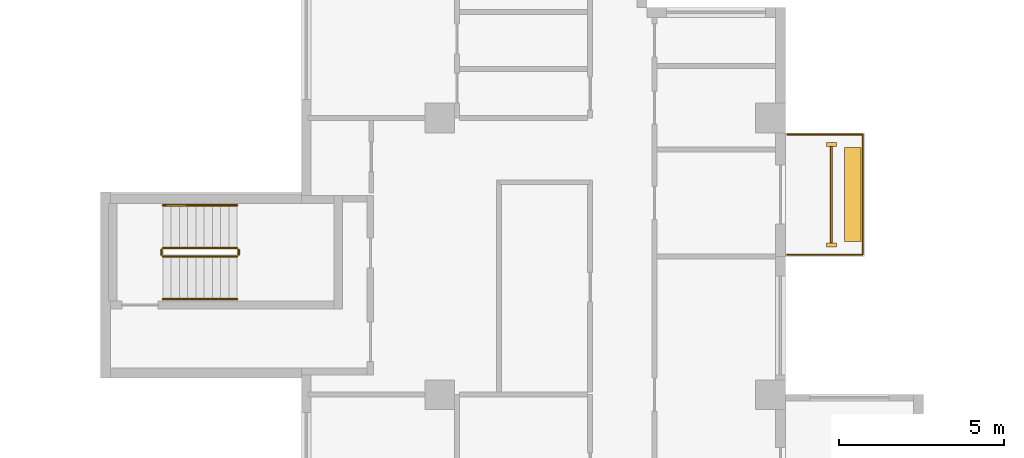
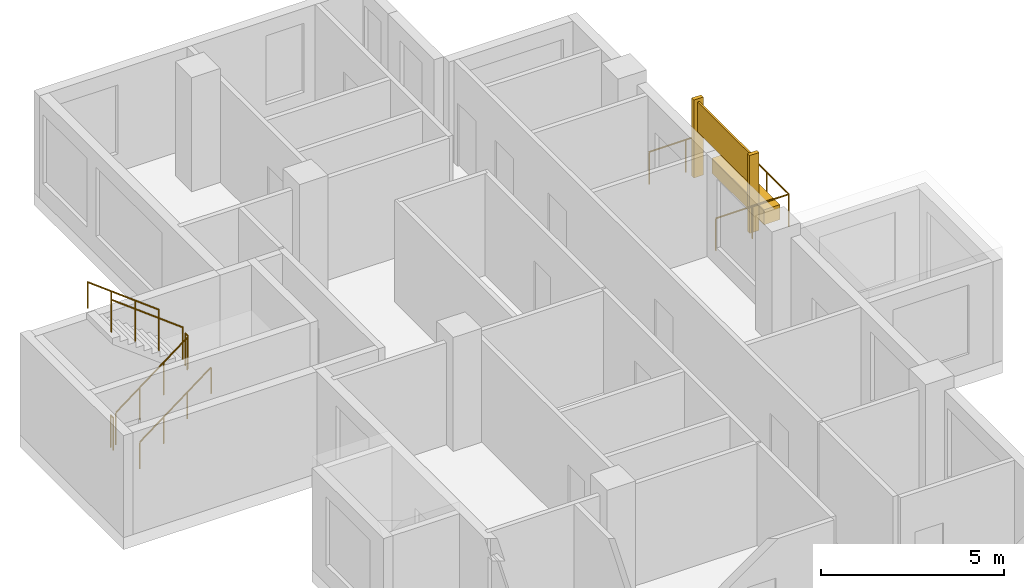
# One storey, part 12 of 12: 7 railings, 4 coverings.
"""IFC4 building model written with IfcOpenShell, lengths in metres."""

from ifc_helpers import new_model, si_unit, direction, frame, origin, origin_2d, place, context, subcontext, project, spatial, rectangle, circle, extrude, source, transform, mapped, material, type_object, element, save


model = new_model("IFC4")

# Units and contexts
model_context = context("Model", 3, precision=1e-05, world=origin(), true_north=direction((0.0, 1.0)))
body_context = subcontext(model_context, "Body", "Model", "MODEL_VIEW")
ifc_project = project(units=[si_unit("LENGTHUNIT", "METRE"), si_unit("AREAUNIT", "SQUARE_METRE"), si_unit("VOLUMEUNIT", "CUBIC_METRE"), si_unit("PLANEANGLEUNIT", "RADIAN"), si_unit("MASSUNIT", "GRAM", prefix="KILO")], contexts=[model_context])

# Site, building, storey
site_placement = place(None, origin())
site = spatial("IfcSite", under=ifc_project, at=site_placement, CompositionType="ELEMENT")
building_placement = place(site_placement, origin())
building = spatial("IfcBuilding", under=site, at=building_placement, Name="Aurelian Terraces", CompositionType="ELEMENT")
storey_placement = place(building_placement, frame((0.0, 0.0, 223.4)))
storey = spatial("IfcBuildingStorey", under=building, at=storey_placement, Name="L50", CompositionType="ELEMENT", Elevation=223.4)

# Coverings
ifc_material_1 = material(Name="Terracotta rainscreen cladding relief", Category="masonry")
covering_type_1 = type_object("IfcCoveringType", Name="FIN-TC", PredefinedType="CLADDING", material=ifc_material_1)
shared_shape_1 = source(origin(), body_context, "Body", "SweptSolid", [
    extrude(rectangle(XDim=0.3, YDim=0.12, at=origin_2d()), origin(), (0.0, 0.0, 1.0), 2.6),
])
for number, where, z_axis, x_axis, name in (
    (1, (22.4, 42.35, 0.0), (0.0, 0.0, 1.0), (1.0, 0.0, 0.0), "FIN L50 L50-F08-20.1"),
    (2, (22.4, 45.4, 0.0), (0.0, 0.0, 1.0), (1.0, 0.0, 0.0), "FIN L50 L50-F08-20.2"),
):
    element("IfcCovering", number, at=place(storey_placement, frame(where, z_axis=z_axis, x_axis=x_axis)), inside=storey, type_object=covering_type_1, Name=name, PredefinedType="CLADDING", context=body_context, shape_type="MappedRepresentation", body=[
        mapped(shared_shape_1, transform((0.0, 0.0, 0.0), scale=1.0)),
    ])

# Railing
ifc_material_2 = material(Name="Anodised aluminium", Category="aluminium")
railing_type_1 = type_object("IfcRailingType", Name="GUARD-1100", PredefinedType="GUARDRAIL", material=ifc_material_2)
shared_shape_2 = source(origin(), body_context, "Body", "SweptSolid", [
    extrude(circle(Radius=0.024, at=origin_2d()), frame((0.0, 0.0, 1.076), z_axis=(1.0, 0.0, 0.0), x_axis=(0.0, 1.0, 0.0)), (0.0, 0.0, 1.0), 2.3),
    extrude(circle(Radius=0.024, at=origin_2d()), frame((2.3, 0.0, 1.076), z_axis=(0.0, 1.0, 0.0), x_axis=(-1.0, 0.0, 0.0)), (0.0, 0.0, 1.0), 3.65),
    extrude(circle(Radius=0.024, at=origin_2d()), frame((2.3, 3.65, 1.076), z_axis=(-1.0, 0.0, 0.0), x_axis=(0.0, -1.0, 0.0)), (0.0, 0.0, 1.0), 2.3),
    extrude(circle(Radius=0.021, at=origin_2d()), origin(), (0.0, 0.0, 1.0), 1.052),
    extrude(circle(Radius=0.021, at=origin_2d()), frame((1.15, 0.0, 0.0)), (0.0, 0.0, 1.0), 1.052),
    extrude(circle(Radius=0.021, at=origin_2d()), frame((2.3, 0.0, 0.0)), (0.0, 0.0, 1.0), 1.052),
    extrude(circle(Radius=0.021, at=origin_2d()), frame((2.3, 1.2167, 0.0)), (0.0, 0.0, 1.0), 1.052),
    extrude(circle(Radius=0.021, at=origin_2d()), frame((2.3, 2.4333, 0.0)), (0.0, 0.0, 1.0), 1.052),
    extrude(circle(Radius=0.021, at=origin_2d()), frame((2.3, 3.65, 0.0)), (0.0, 0.0, 1.0), 1.052),
    extrude(circle(Radius=0.021, at=origin_2d()), frame((1.15, 3.65, 0.0)), (0.0, 0.0, 1.0), 1.052),
    extrude(circle(Radius=0.021, at=origin_2d()), frame((0.0, 3.65, 0.0)), (0.0, 0.0, 1.0), 1.052),
])
railing_1_placement = place(storey_placement, frame((21.05, 42.05, 0.0)))
element("IfcRailing", 3, at=railing_1_placement, inside=storey, type_object=railing_type_1, Name="Balcony guard L50 F08.20", PredefinedType="GUARDRAIL", context=body_context, shape_type="MappedRepresentation", body=[
    mapped(shared_shape_2, transform((0.0, 0.0, 0.0), scale=1.0)),
])

# Coverings
ifc_material_3 = material(Name="Terracotta planter with planting soil", Category="masonry")
covering_type_2 = type_object("IfcCoveringType", Name="PLANTER-TROUGH", PredefinedType="USERDEFINED", material=ifc_material_3)
shared_shape_3 = source(origin(), body_context, "Body", "SweptSolid", [
    extrude(rectangle(XDim=0.5, YDim=2.85, at=origin_2d()), origin(), (0.0, 0.0, 1.0), 0.5),
])
covering_1_placement = place(storey_placement, frame((23.05, 43.875, 0.0), z_axis=(0.0, 0.0, 1.0), x_axis=(1.0, 0.0, 0.0)))
element("IfcCovering", 4, at=covering_1_placement, inside=storey, type_object=covering_type_2, Name="PLANTER L50 L50-F08-20", ObjectType="PLANTER", PredefinedType="USERDEFINED", context=body_context, shape_type="MappedRepresentation", body=[
    mapped(shared_shape_3, transform((0.0, 0.0, 0.0), scale=1.0)),
])
ifc_material_4 = material(Name="Terracotta rainscreen cladding", Category="masonry")
covering_type_3 = type_object("IfcCoveringType", Name="SCREEN-TC", PredefinedType="CLADDING", material=ifc_material_4)
shared_shape_4 = source(origin(), body_context, "Body", "SweptSolid", [
    extrude(rectangle(XDim=0.06, YDim=2.93, at=origin_2d()), origin(), (0.0, 0.0, 1.0), 1.0),
])
covering_2_placement = place(storey_placement, frame((22.4, 43.875, 1.5), z_axis=(0.0, 0.0, 1.0), x_axis=(1.0, 0.0, 0.0)))
element("IfcCovering", 5, at=covering_2_placement, inside=storey, type_object=covering_type_3, Name="SCREEN L50 L50-F08-20", PredefinedType="CLADDING", context=body_context, shape_type="MappedRepresentation", body=[
    mapped(shared_shape_4, transform((0.0, 0.0, 0.0), scale=1.0)),
])

# Railings
ifc_material_5 = material(Name="Stainless steel", Category="steel")
railing_type_2 = type_object("IfcRailingType", Name="Stair guard 1100", PredefinedType="GUARDRAIL", material=ifc_material_5)
shared_shape_5 = source(origin(), body_context, "Body", "SweptSolid", [
    extrude(circle(Radius=0.024, at=origin_2d()), frame((0.0, 0.0, 1.076), z_axis=(0.0, 1.0, 0.0), x_axis=(-1.0, 0.0, 0.0)), (0.0, 0.0, 1.0), 0.15),
    extrude(circle(Radius=0.021, at=origin_2d()), origin(), (0.0, 0.0, 1.0), 1.052),
    extrude(circle(Radius=0.021, at=origin_2d()), frame((0.0, 0.15, 0.0)), (0.0, 0.0, 1.0), 1.052),
])
for number, where, name in (
    (6, (4.4, 42.05, 1.9), "L50 S3 stair guard 2"),
    (7, (2.05, 42.05, 0.0), "L50 S3 stair guard 4"),
):
    element("IfcRailing", number, at=place(storey_placement, frame(where)), inside=storey, type_object=railing_type_2, Name=name, PredefinedType="GUARDRAIL", context=body_context, shape_type="MappedRepresentation", body=[
        mapped(shared_shape_5, transform((0.0, 0.0, 0.0), scale=1.0)),
    ])
shared_shape_6 = source(origin(), body_context, "Body", "SweptSolid", [
    extrude(circle(Radius=0.024, at=origin_2d()), frame((0.0, 0.0, 1.076), z_axis=(0.796162194123, 0.0, 0.605083267534), x_axis=(0.0, 1.0, 0.0)), (0.0, 0.0, 1.0), 2.8261),
    extrude(circle(Radius=0.021, at=origin_2d()), origin(), (0.0, 0.0, 1.0), 1.052),
    extrude(circle(Radius=0.021, at=origin_2d()), frame((0.75, 0.0, 0.57)), (0.0, 0.0, 1.0), 1.052),
    extrude(circle(Radius=0.021, at=origin_2d()), frame((1.5, 0.0, 1.14)), (0.0, 0.0, 1.0), 1.052),
    extrude(circle(Radius=0.021, at=origin_2d()), frame((2.25, 0.0, 1.71)), (0.0, 0.0, 1.0), 1.052),
])
railing_2_placement = place(storey_placement, frame((2.1, 42.0, 0.19)))
element("IfcRailing", 8, at=railing_2_placement, inside=storey, type_object=railing_type_2, Name="L50 S3 stair guard 1", PredefinedType="GUARDRAIL", context=body_context, shape_type="MappedRepresentation", body=[
    mapped(shared_shape_6, transform((0.0, 0.0, 0.0), scale=1.0)),
])
shared_shape_7 = source(origin(), body_context, "Body", "SweptSolid", [
    extrude(circle(Radius=0.024, at=origin_2d()), frame((0.0, 0.0, 1.076), z_axis=(-0.796162194123, 0.0, 0.605083267534), x_axis=(0.0, -1.0, 0.0)), (0.0, 0.0, 1.0), 2.8261),
    extrude(circle(Radius=0.021, at=origin_2d()), origin(), (0.0, 0.0, 1.0), 1.052),
    extrude(circle(Radius=0.021, at=origin_2d()), frame((-0.75, 0.0, 0.57)), (0.0, 0.0, 1.0), 1.052),
    extrude(circle(Radius=0.021, at=origin_2d()), frame((-1.5, 0.0, 1.14)), (0.0, 0.0, 1.0), 1.052),
    extrude(circle(Radius=0.021, at=origin_2d()), frame((-2.25, 0.0, 1.71)), (0.0, 0.0, 1.0), 1.052),
])
railing_3_placement = place(storey_placement, frame((4.35, 42.25, 2.09)))
element("IfcRailing", 9, at=railing_3_placement, inside=storey, type_object=railing_type_2, Name="L50 S3 stair guard 3", PredefinedType="GUARDRAIL", context=body_context, shape_type="MappedRepresentation", body=[
    mapped(shared_shape_7, transform((0.0, 0.0, 0.0), scale=1.0)),
])
railing_type_3 = type_object("IfcRailingType", Name="Stair handrail", PredefinedType="HANDRAIL", material=ifc_material_5)
shared_shape_8 = source(origin(), body_context, "Body", "SweptSolid", [
    extrude(circle(Radius=0.024, at=origin_2d()), frame((0.0, 0.0, 0.876), z_axis=(0.796162194123, 0.0, 0.605083267534), x_axis=(0.0, 1.0, 0.0)), (0.0, 0.0, 1.0), 2.8261),
    extrude(circle(Radius=0.021, at=origin_2d()), origin(), (0.0, 0.0, 1.0), 0.852),
    extrude(circle(Radius=0.021, at=origin_2d()), frame((0.75, 0.0, 0.57)), (0.0, 0.0, 1.0), 0.852),
    extrude(circle(Radius=0.021, at=origin_2d()), frame((1.5, 0.0, 1.14)), (0.0, 0.0, 1.0), 0.852),
    extrude(circle(Radius=0.021, at=origin_2d()), frame((2.25, 0.0, 1.71)), (0.0, 0.0, 1.0), 0.852),
])
railing_4_placement = place(storey_placement, frame((2.1, 40.7, 0.19)))
element("IfcRailing", 10, at=railing_4_placement, inside=storey, type_object=railing_type_3, Name="L50 S3 stair handrail 1", PredefinedType="HANDRAIL", context=body_context, shape_type="MappedRepresentation", body=[
    mapped(shared_shape_8, transform((0.0, 0.0, 0.0), scale=1.0)),
])
shared_shape_9 = source(origin(), body_context, "Body", "SweptSolid", [
    extrude(circle(Radius=0.024, at=origin_2d()), frame((0.0, 0.0, 0.876), z_axis=(-0.796162194123, 0.0, 0.605083267534), x_axis=(0.0, -1.0, 0.0)), (0.0, 0.0, 1.0), 2.8261),
    extrude(circle(Radius=0.021, at=origin_2d()), origin(), (0.0, 0.0, 1.0), 0.852),
    extrude(circle(Radius=0.021, at=origin_2d()), frame((-0.75, 0.0, 0.57)), (0.0, 0.0, 1.0), 0.852),
    extrude(circle(Radius=0.021, at=origin_2d()), frame((-1.5, 0.0, 1.14)), (0.0, 0.0, 1.0), 0.852),
    extrude(circle(Radius=0.021, at=origin_2d()), frame((-2.25, 0.0, 1.71)), (0.0, 0.0, 1.0), 0.852),
])
railing_5_placement = place(storey_placement, frame((4.35, 43.55, 2.09)))
element("IfcRailing", 11, at=railing_5_placement, inside=storey, type_object=railing_type_3, Name="L50 S3 stair handrail 2", PredefinedType="HANDRAIL", context=body_context, shape_type="MappedRepresentation", body=[
    mapped(shared_shape_9, transform((0.0, 0.0, 0.0), scale=1.0)),
])

save(model, "model.ifc")
